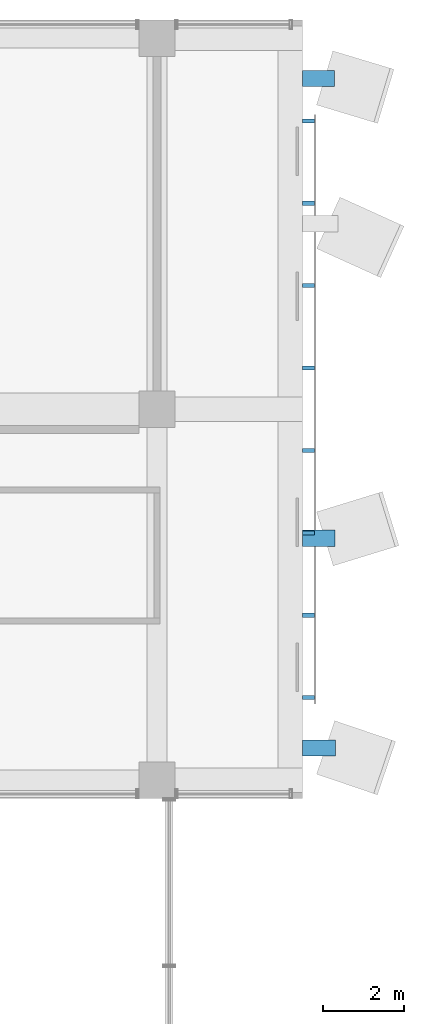
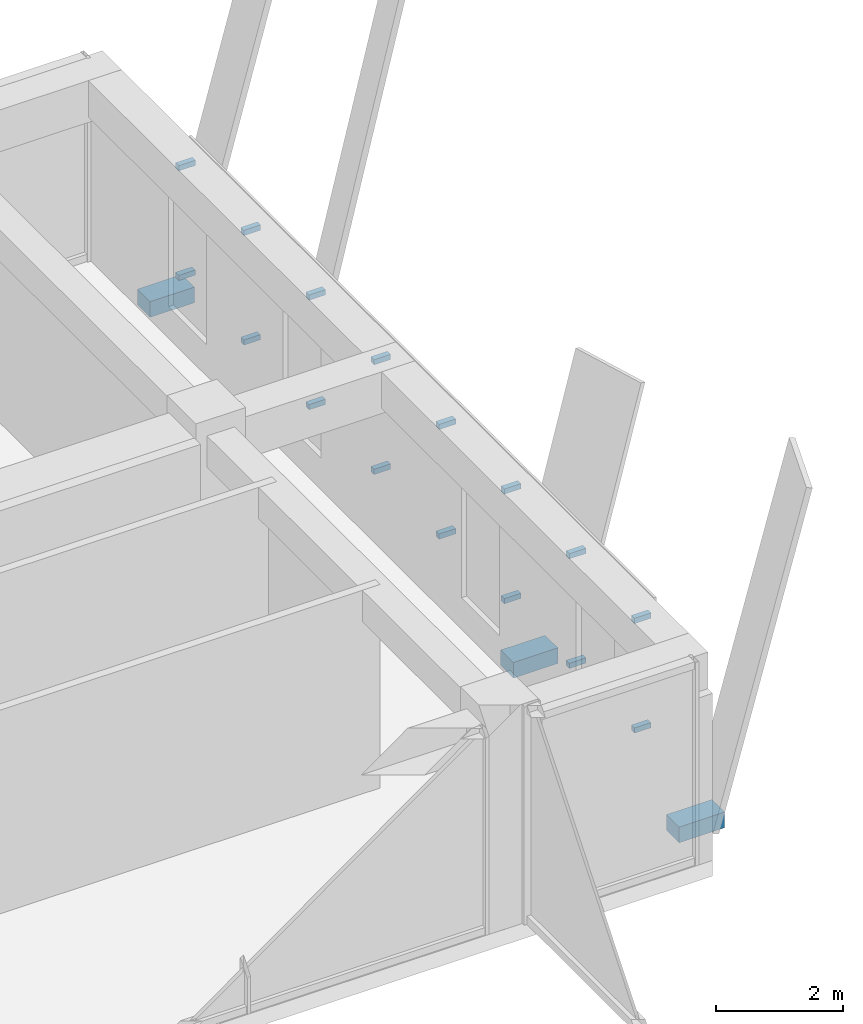
# One storey, part 32 of 38: 19 discrete accessories.
"""IFC4 building model written with IfcOpenShell, lengths in metres."""

from ifc_helpers import new_model, si_unit, direction, frame, origin, origin_2d, place, context, subcontext, project, spatial, rectangle, extrude, element, save


model = new_model("IFC4")

# Units and contexts
model_context = context("Model", 3, precision=1e-05, world=origin(), true_north=direction((0.0, 1.0)))
body_context = subcontext(model_context, "Body", "Model", "MODEL_VIEW")
ifc_project = project(units=[si_unit("LENGTHUNIT", "METRE"), si_unit("AREAUNIT", "SQUARE_METRE"), si_unit("VOLUMEUNIT", "CUBIC_METRE"), si_unit("PLANEANGLEUNIT", "RADIAN"), si_unit("MASSUNIT", "GRAM", prefix="KILO")], contexts=[model_context])

# Site, building, storey
site_placement = place(None, origin())
site = spatial("IfcSite", under=ifc_project, at=site_placement, CompositionType="ELEMENT")
building_placement = place(site_placement, origin())
building = spatial("IfcBuilding", under=site, at=building_placement, Name="Nzadi Deep Aquarium and Research Tower", CompositionType="ELEMENT")
storey_placement = place(building_placement, frame((0.0, 0.0, 52.89990234375)))
storey = spatial("IfcBuildingStorey", under=building, at=storey_placement, Name="L10", CompositionType="ELEMENT", Elevation=52.89990234375)

# Discrete accessories
for number, where, z_axis, x_axis, name in (
    (1, (51.75, 29.64990234375, 0.949951171875), (0.0, 0.0, 1.0), (1.0, 0.0, 0.0), "Screen bracket L10"),
    (2, (51.75, 29.64990234375, 3.050048828125), (0.0, 0.0, 1.0), (1.0, 0.0, 0.0), "Screen bracket L10"),
    (3, (51.75, 31.69287109375, 0.949951171875), (0.0, 0.0, 1.0), (1.0, 0.0, 0.0), "Screen bracket L10"),
    (4, (51.75, 31.69287109375, 3.050048828125), (0.0, 0.0, 1.0), (1.0, 0.0, 0.0), "Screen bracket L10"),
    (5, (51.75, 33.735595703125, 0.949951171875), (0.0, 0.0, 1.0), (1.0, 0.0, 0.0), "Screen bracket L10"),
    (6, (51.75, 33.735595703125, 3.050048828125), (0.0, 0.0, 1.0), (1.0, 0.0, 0.0), "Screen bracket L10"),
    (7, (51.75, 35.778564453125, 0.949951171875), (0.0, 0.0, 1.0), (1.0, 0.0, 0.0), "Screen bracket L10"),
    (8, (51.75, 35.778564453125, 3.050048828125), (0.0, 0.0, 1.0), (1.0, 0.0, 0.0), "Screen bracket L10"),
    (9, (51.75, 37.8212890625, 0.949951171875), (0.0, 0.0, 1.0), (1.0, 0.0, 0.0), "Screen bracket L10"),
    (10, (51.75, 37.8212890625, 3.050048828125), (0.0, 0.0, 1.0), (1.0, 0.0, 0.0), "Screen bracket L10"),
    (11, (51.75, 39.8642578125, 0.949951171875), (0.0, 0.0, 1.0), (1.0, 0.0, 0.0), "Screen bracket L10"),
    (12, (51.75, 39.8642578125, 3.050048828125), (0.0, 0.0, 1.0), (1.0, 0.0, 0.0), "Screen bracket L10"),
    (13, (51.75, 41.906982421875, 0.949951171875), (0.0, 0.0, 1.0), (1.0, 0.0, 0.0), "Screen bracket L10"),
    (14, (51.75, 41.906982421875, 3.050048828125), (0.0, 0.0, 1.0), (1.0, 0.0, 0.0), "Screen bracket L10"),
    (15, (51.75, 43.949951171875, 0.949951171875), (0.0, 0.0, 1.0), (1.0, 0.0, 0.0), "Screen bracket L10"),
    (16, (51.75, 43.949951171875, 3.050048828125), (0.0, 0.0, 1.0), (1.0, 0.0, 0.0), "Screen bracket L10"),
):
    element("IfcDiscreteAccessory", number, at=place(storey_placement, frame(where, z_axis=z_axis, x_axis=x_axis)), inside=storey, Name=name, PredefinedType="BRACKET", context=body_context, shape_type="SweptSolid", body=[
        extrude(rectangle(XDim=0.300048828125, YDim=0.10009765625, at=origin_2d()), origin(), (0.0, 0.0, 1.0), 0.10009765625),
    ])
discrete_accessory_1_placement = place(storey_placement, frame((52.0126953125, 28.39990234375, -0.2998046875), z_axis=(0.0, 0.0, 1.0), x_axis=(1.0, 0.0, 0.0)))
element("IfcDiscreteAccessory", 17, at=discrete_accessory_1_placement, inside=storey, Name="Fold blade bracket", PredefinedType="BRACKET", context=body_context, shape_type="SweptSolid", body=[
    extrude(rectangle(XDim=0.82568359375, YDim=0.39990234375, at=origin_2d()), origin(), (0.0, 0.0, 1.0), 0.300048828125),
])
discrete_accessory_2_placement = place(storey_placement, frame((52.0029296875, 33.60009765625, -0.2998046875), z_axis=(0.0, 0.0, 1.0), x_axis=(1.0, 0.0, 0.0)))
element("IfcDiscreteAccessory", 18, at=discrete_accessory_2_placement, inside=storey, Name="Fold blade bracket", PredefinedType="BRACKET", context=body_context, shape_type="SweptSolid", body=[
    extrude(rectangle(XDim=0.805908203125, YDim=0.39990234375, at=origin_2d()), origin(), (0.0, 0.0, 1.0), 0.300048828125),
])
discrete_accessory_3_placement = place(storey_placement, frame((52.001220703125, 45.0, -0.2998046875), z_axis=(0.0, 0.0, 1.0), x_axis=(1.0, 0.0, 0.0)))
element("IfcDiscreteAccessory", 19, at=discrete_accessory_3_placement, inside=storey, Name="Fold blade bracket", PredefinedType="BRACKET", context=body_context, shape_type="SweptSolid", body=[
    extrude(rectangle(XDim=0.80224609375, YDim=0.39990234375, at=origin_2d()), origin(), (0.0, 0.0, 1.0), 0.300048828125),
])

save(model, "model.ifc")
